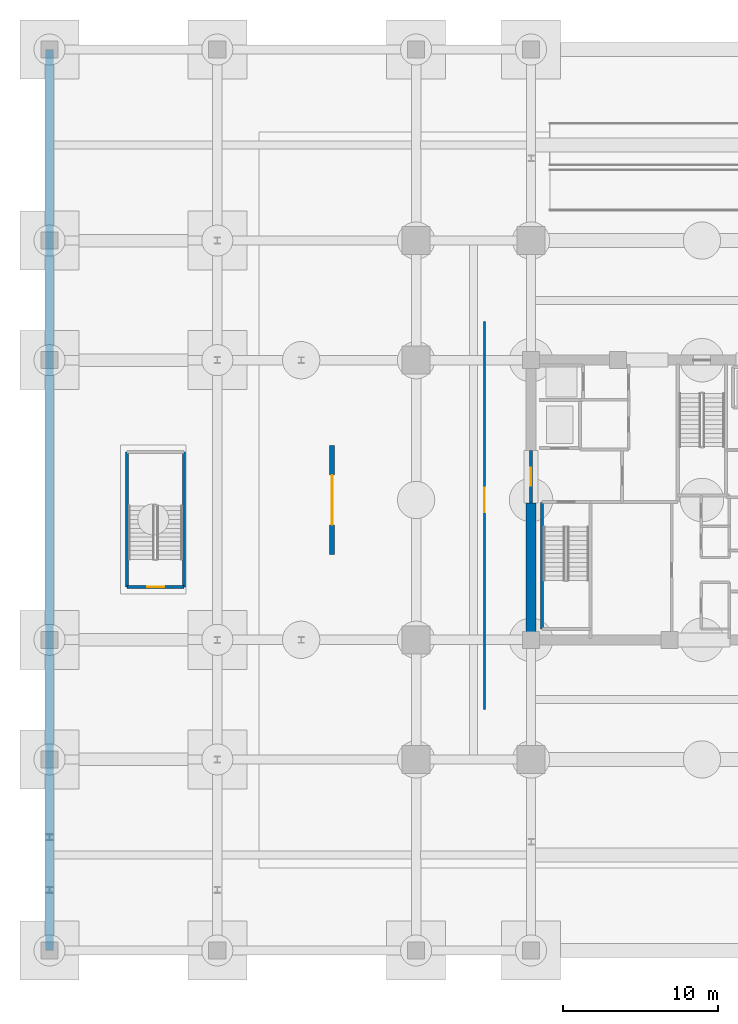
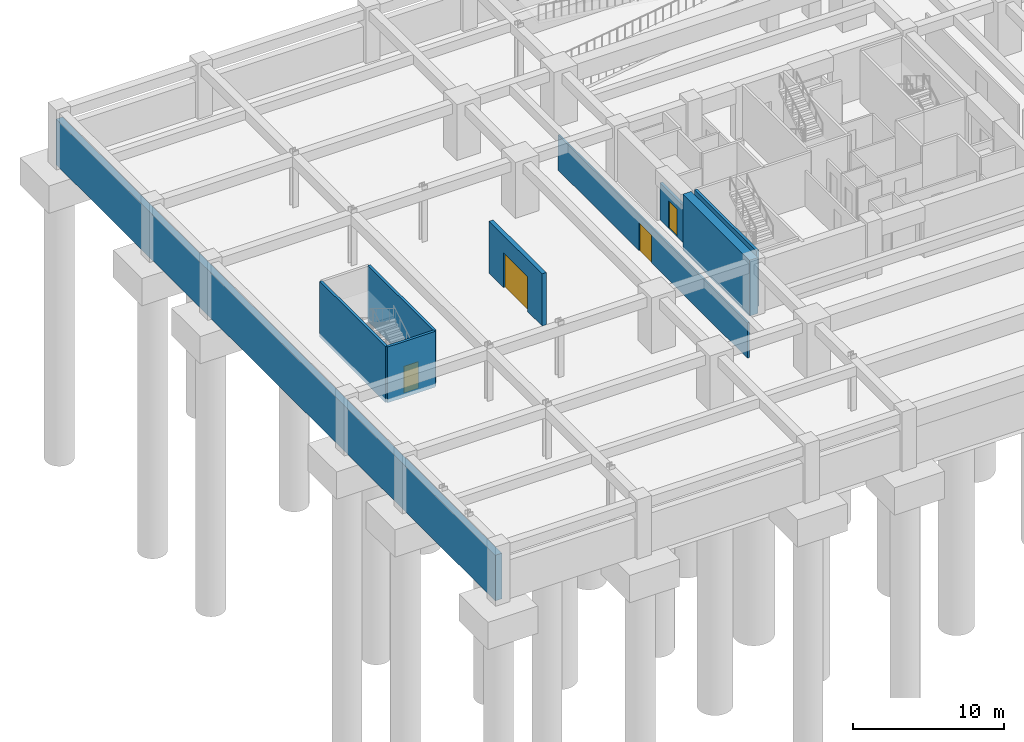
# One storey, part 7 of 17: 9 walls, 4 doors, 4 openings.
"""IFC4 building model written with IfcOpenShell, lengths in metres."""

from ifc_helpers import new_model, si_unit, direction, frame, frame_2d, origin, place, context, subcontext, project, spatial, rectangle, extrude, material, layer, layer_set, type_object, element, fill, save


model = new_model("IFC4")

# Units and contexts
model_context = context("Model", 3, precision=1e-05, world=origin(), true_north=direction((0.0, 1.0)))
body_context = subcontext(model_context, "Body", "Model", "MODEL_VIEW")
ifc_project = project(units=[si_unit("LENGTHUNIT", "METRE"), si_unit("AREAUNIT", "SQUARE_METRE"), si_unit("VOLUMEUNIT", "CUBIC_METRE"), si_unit("PLANEANGLEUNIT", "RADIAN"), si_unit("MASSUNIT", "GRAM", prefix="KILO")], contexts=[model_context])

# Site, building, storey
site_placement = place(None, origin())
site = spatial("IfcSite", under=ifc_project, at=site_placement, CompositionType="ELEMENT")
building_placement = place(site_placement, origin())
building = spatial("IfcBuilding", under=site, at=building_placement, Name="Kovane Verandah Tower", CompositionType="ELEMENT")
storey_placement = place(building_placement, frame((0.0, 0.0, -9.0)))
storey = spatial("IfcBuildingStorey", under=building, at=storey_placement, Name="B2", CompositionType="ELEMENT", Elevation=-9.0)

# Wall, opening, door
ifc_material_1 = material(Name="Fire-Rated Gypsum Stud Partition", Category="gypsum")
ifc_layer_1 = layer(ifc_material_1, 0.14990234375)
ifc_layer_set_1 = layer_set([ifc_layer_1], Name="Fire-Rated Gypsum Stud Partition")
wall_type_1 = type_object("IfcWallType", Name="WL-COR-150", PredefinedType="PARTITIONING", material=ifc_layer_set_1)
wall_1_placement = place(storey_placement, frame((26.0, 14.0, 0.0), z_axis=(0.0, 0.0, 1.0), x_axis=(0.0, 1.0, 0.0)))
wall_1 = element("IfcWall", 1, at=wall_1_placement, inside=storey, type_object=wall_type_1, Name="B2 Central Chiller Plant Room Corridor Partition", PredefinedType="PARTITIONING", context=body_context, shape_type="SweptSolid", body=[
    extrude(rectangle(XDim=25.0, YDim=0.14990234375, at=frame_2d((12.5, 0.0))), origin(), (0.0, 0.0, 1.0), 2.85009765625),
])
opening_1_placement = place(wall_1_placement, frame((12.699951171875, 0.0, 0.0)))
opening_1 = element("IfcOpeningElement", 2, at=opening_1_placement, cuts=wall_1, Name="Opening DR-B2-012", PredefinedType="OPENING", context=body_context, shape_type="SweptSolid", body=[
    extrude(rectangle(XDim=1.60009765625, YDim=2.25, at=frame_2d((0.800048828125, 1.125))), frame((0.0, 0.074951171875, 0.0), z_axis=(0.0, -1.0, 0.0), x_axis=(1.0, 0.0, 0.0)), (0.0, 0.0, 1.0), 0.14990234375),
])
ifc_material_2 = material(Name="Louvred Acoustic Steel Double Plant Door", Category="steel")
door_type_1 = type_object("IfcDoorType", Name="DR-PLANT-1600", OperationType="DOUBLE_DOOR_SINGLE_SWING", PredefinedType="DOOR", material=ifc_material_2)
door_1_placement = place(opening_1_placement, origin())
door_1 = element("IfcDoor", 3, at=door_1_placement, inside=storey, type_object=door_type_1, Name="B2 Central Chiller Plant Room Entrance Door", OperationType="DOUBLE_DOOR_SINGLE_SWING", OverallHeight=2.25, OverallWidth=1.60009765625, PredefinedType="DOOR", context=body_context, shape_type="SweptSolid", body=[
    extrude(rectangle(XDim=1.60009765625, YDim=2.25, at=frame_2d((0.800048828125, 1.125))), frame((0.0, 0.02490234375, 0.0), z_axis=(0.0, -1.0, 0.0), x_axis=(1.0, 0.0, 0.0)), (0.0, 0.0, 1.0), 0.050048828125),
])
fill(opening_1, door_1)

# Wall
ifc_material_3 = material(Name="Concrete C80/95", Category="concrete")
ifc_layer_2 = layer(ifc_material_3, 0.64990234375)
ifc_layer_set_2 = layer_set([ifc_layer_2], Name="Concrete C80/95")
wall_type_2 = type_object("IfcWallType", Name="WL-CORE-650", PredefinedType="SHEAR", material=ifc_layer_set_2)
wall_2_placement = place(storey_placement, frame((29.0, 18.5, -0.300048828125), z_axis=(0.0, 0.0, 1.0), x_axis=(0.0, 1.0, 0.0)))
element("IfcWall", 4, at=wall_2_placement, inside=storey, type_object=wall_type_2, Name="B2 Core Shear Wall CW-1", PredefinedType="SHEAR", context=body_context, shape_type="SweptSolid", body=[
    extrude(rectangle(XDim=8.800048828125, YDim=0.64990234375, at=frame_2d((4.39990234375, 0.0))), origin(), (0.0, 0.0, 1.0), 4.5),
])

# Wall, opening, door
ifc_material_4 = material(Name="Concrete C45/55 Fire Wall", Category="concrete")
ifc_layer_3 = layer(ifc_material_4, 0.199951171875)
ifc_layer_set_3 = layer_set([ifc_layer_3], Name="Concrete C45/55 Fire Wall")
wall_type_3 = type_object("IfcWallType", Name="WL-FFL-200", PredefinedType="PARTITIONING", material=ifc_layer_set_3)
wall_3_placement = place(storey_placement, frame((29.0, 27.300048828125, 0.0), z_axis=(0.0, 0.0, 1.0), x_axis=(0.0, 1.0, 0.0)))
wall_3 = element("IfcWall", 5, at=wall_3_placement, inside=storey, type_object=wall_type_3, Name="W-B2-FFLW-OUT", PredefinedType="PARTITIONING", context=body_context, shape_type="SweptSolid", body=[
    extrude(rectangle(XDim=3.39990234375, YDim=0.199951171875, at=frame_2d((1.699951171875, 0.0))), origin(), (0.0, 0.0, 1.0), 2.97998046875),
])
opening_2_placement = place(wall_3_placement, frame((1.125, 0.0, 0.0)))
opening_2 = element("IfcOpeningElement", 6, at=opening_2_placement, cuts=wall_3, Name="Opening DR-B2-005", PredefinedType="OPENING", context=body_context, shape_type="SweptSolid", body=[
    extrude(rectangle(XDim=1.14990234375, YDim=2.199951171875, at=frame_2d((0.574951171875, 1.10009765625))), frame((0.0, 0.10009765625, 0.0), z_axis=(0.0, -1.0, 0.0), x_axis=(1.0, 0.0, 0.0)), (0.0, 0.0, 1.0), 0.199951171875),
])
ifc_material_5 = material(Name="Smoke-Sealed Firefighting Lobby Door", Category="steel")
door_type_2 = type_object("IfcDoorType", Name="DR-FFL-1150", OperationType="SINGLE_SWING_LEFT", PredefinedType="DOOR", material=ifc_material_5)
door_2_placement = place(opening_2_placement, origin())
door_2 = element("IfcDoor", 7, at=door_2_placement, inside=storey, type_object=door_type_2, Name="B2 West Firefighting Lobby Corridor Door", OperationType="SINGLE_SWING_RIGHT", OverallHeight=2.199951171875, OverallWidth=1.14990234375, PredefinedType="DOOR", context=body_context, shape_type="SweptSolid", body=[
    extrude(rectangle(XDim=1.14990234375, YDim=2.199951171875, at=frame_2d((0.574951171875, 1.10009765625))), frame((0.0, 0.02490234375, 0.0), z_axis=(0.0, -1.0, 0.0), x_axis=(1.0, 0.0, 0.0)), (0.0, 0.0, 1.0), 0.050048828125),
])
fill(opening_2, door_2)

ifc_material_6 = material(Name="Concrete C45/55 Podium Facade Wall", Category="concrete")
ifc_layer_4 = layer(ifc_material_6, 0.320068359375)
ifc_layer_set_4 = layer_set([ifc_layer_4], Name="Concrete C45/55 Podium Facade Wall")
wall_type_4 = type_object("IfcWallType", Name="WL-POD-320", PredefinedType="SOLIDWALL", material=ifc_layer_set_4)
wall_4_placement = place(storey_placement, frame((16.199951171875, 24.0, 0.0), z_axis=(0.0, 0.0, 1.0), x_axis=(0.0, 1.0, 0.0)))
wall_4 = element("IfcWall", 8, at=wall_4_placement, inside=storey, type_object=wall_type_4, Name="B2 Service Bay Enclosure Wall 1", PredefinedType="SOLIDWALL", context=body_context, shape_type="SweptSolid", body=[
    extrude(rectangle(XDim=7.0, YDim=0.320068359375, at=frame_2d((3.5, 0.0))), origin(), (0.0, 0.0, 1.0), 4.199951171875),
])
opening_3_placement = place(wall_4_placement, frame((1.89990234375, 0.0, 0.0)))
opening_3 = element("IfcOpeningElement", 9, at=opening_3_placement, cuts=wall_4, Name="Opening VG-B2-001", PredefinedType="OPENING", context=body_context, shape_type="SweptSolid", body=[
    extrude(rectangle(XDim=3.199951171875, YDim=2.800048828125, at=frame_2d((1.60009765625, 1.39990234375))), frame((0.0, 0.16015625, 0.0), z_axis=(0.0, -1.0, 0.0), x_axis=(1.0, 0.0, 0.0)), (0.0, 0.0, 1.0), 0.320068359375),
])
ifc_material_7 = material(Name="Galvanised Steel Service Bay Roller Gate", Category="steel")
door_type_3 = type_object("IfcDoorType", Name="DR-GATE-3200x2800", OperationType="ROLLINGUP", PredefinedType="GATE", material=ifc_material_7)
door_3_placement = place(opening_3_placement, origin())
door_3 = element("IfcDoor", 10, at=door_3_placement, inside=storey, type_object=door_type_3, Name="B2 Service Roller Gate 1", OperationType="ROLLINGUP", OverallHeight=2.800048828125, OverallWidth=3.199951171875, PredefinedType="GATE", context=body_context, shape_type="SweptSolid", body=[
    extrude(rectangle(XDim=3.199951171875, YDim=2.800048828125, at=frame_2d((1.60009765625, 1.39990234375))), frame((0.0, 0.02490234375, 0.0), z_axis=(0.0, -1.0, 0.0), x_axis=(1.0, 0.0, 0.0)), (0.0, 0.0, 1.0), 0.050048828125),
])
fill(opening_3, door_3)

# Walls
ifc_material_8 = material(Name="Concrete C45/55", Category="concrete")
ifc_layer_5 = layer(ifc_material_8, 0.5)
ifc_layer_set_5 = layer_set([ifc_layer_5], Name="Concrete C45/55")
wall_type_5 = type_object("IfcWallType", Name="WL-RET-500", PredefinedType="USERDEFINED", material=ifc_layer_set_5)
wall_5_placement = place(storey_placement, frame((-2.0, 56.5, -0.300048828125), z_axis=(0.0, 0.0, 1.0), x_axis=(0.0, -1.0, 0.0)))
element("IfcWall", 11, at=wall_5_placement, inside=storey, type_object=wall_type_5, Name="B2 Basement Perimeter Wall RW", ObjectType="RETAININGWALL", PredefinedType="USERDEFINED", context=body_context, shape_type="SweptSolid", body=[
    extrude(rectangle(XDim=58.0, YDim=0.5, at=frame_2d((29.0, 0.0))), origin(), (0.0, 0.0, 1.0), 3.679931640625),
])
ifc_layer_6 = layer(ifc_material_8, 0.199951171875)
ifc_layer_set_6 = layer_set([ifc_layer_6], Name="Concrete C45/55")
wall_type_6 = type_object("IfcWallType", Name="WL-SHAFT-200", PredefinedType="SOLIDWALL", material=ifc_layer_set_6)
wall_6_placement = place(storey_placement, frame((29.699951171875, 19.199951171875, -0.300048828125), z_axis=(0.0, 0.0, 1.0), x_axis=(0.0, 1.0, 0.0)))
element("IfcWall", 12, at=wall_6_placement, inside=storey, type_object=wall_type_6, Name="W-B2-ST01-W", PredefinedType="SOLIDWALL", context=body_context, shape_type="SweptSolid", body=[
    extrude(rectangle(XDim=8.150146484375, YDim=0.199951171875, at=frame_2d((4.0751953125, 0.0))), origin(), (0.0, 0.0, 1.0), 4.5),
])
for number, where, z_axis, x_axis, name in (
    (13, (3.0, 21.89990234375, -0.300048828125), (0.0, 0.0, 1.0), (0.0, 1.0, 0.0), "W-B2-ST-04-W"),
    (14, (6.659912109375, 21.89990234375, -0.300048828125), (0.0, 0.0, 1.0), (0.0, 1.0, 0.0), "W-B2-ST-04-E"),
):
    element("IfcWall", number, at=place(storey_placement, frame(where, z_axis=z_axis, x_axis=x_axis)), inside=storey, type_object=wall_type_6, Name=name, PredefinedType="SOLIDWALL", context=body_context, shape_type="SweptSolid", body=[
        extrude(rectangle(XDim=8.7001953125, YDim=0.199951171875, at=frame_2d((4.35009765625, 0.0))), origin(), (0.0, 0.0, 1.0), 4.5),
    ])

# Wall, opening, door
wall_7_placement = place(storey_placement, frame((3.0, 21.89990234375, -0.300048828125), z_axis=(0.0, 0.0, 1.0), x_axis=(1.0, 0.0, 0.0)))
wall_7 = element("IfcWall", 15, at=wall_7_placement, inside=storey, type_object=wall_type_6, Name="W-B2-ST-04-S", PredefinedType="SOLIDWALL", context=body_context, shape_type="SweptSolid", body=[
    extrude(rectangle(XDim=3.659912109375, YDim=0.199951171875, at=frame_2d((1.830078125, 0.0))), origin(), (0.0, 0.0, 1.0), 4.5),
])
opening_4_placement = place(wall_7_placement, frame((1.280029296875, 0.0, 0.300048828125)))
opening_4 = element("IfcOpeningElement", 16, at=opening_4_placement, cuts=wall_7, Name="Opening DR-B2-010", PredefinedType="OPENING", context=body_context, shape_type="SweptSolid", body=[
    extrude(rectangle(XDim=1.10009765625, YDim=2.14990234375, at=frame_2d((0.550048828125, 1.074951171875))), frame((0.0, 0.10009765625, 0.0), z_axis=(0.0, -1.0, 0.0), x_axis=(1.0, 0.0, 0.0)), (0.0, 0.0, 1.0), 0.199951171875),
])
ifc_material_9 = material(Name="Fire-Rated Steel Exit Door", Category="steel")
door_type_4 = type_object("IfcDoorType", Name="DR-STAIR-1100", OperationType="SINGLE_SWING_LEFT", PredefinedType="DOOR", material=ifc_material_9)
door_4_placement = place(opening_4_placement, origin())
door_4 = element("IfcDoor", 17, at=door_4_placement, inside=storey, type_object=door_type_4, Name="B2 ST-04 Fire Exit Stair Door", OperationType="SINGLE_SWING_LEFT", OverallHeight=2.14990234375, OverallWidth=1.10009765625, PredefinedType="DOOR", context=body_context, shape_type="SweptSolid", body=[
    extrude(rectangle(XDim=1.10009765625, YDim=2.14990234375, at=frame_2d((0.550048828125, 1.074951171875))), frame((0.0, 0.02490234375, 0.0), z_axis=(0.0, -1.0, 0.0), x_axis=(1.0, 0.0, 0.0)), (0.0, 0.0, 1.0), 0.050048828125),
])
fill(opening_4, door_4)

save(model, "model.ifc")
